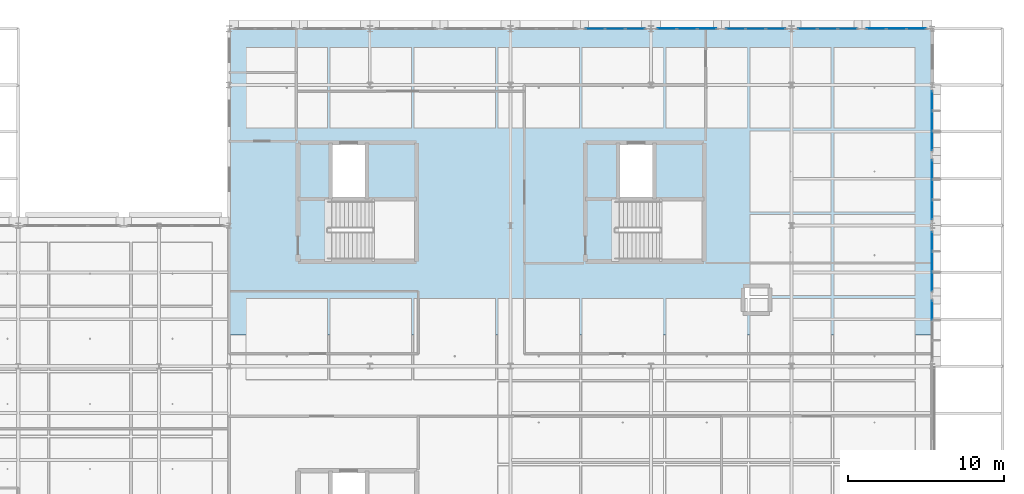
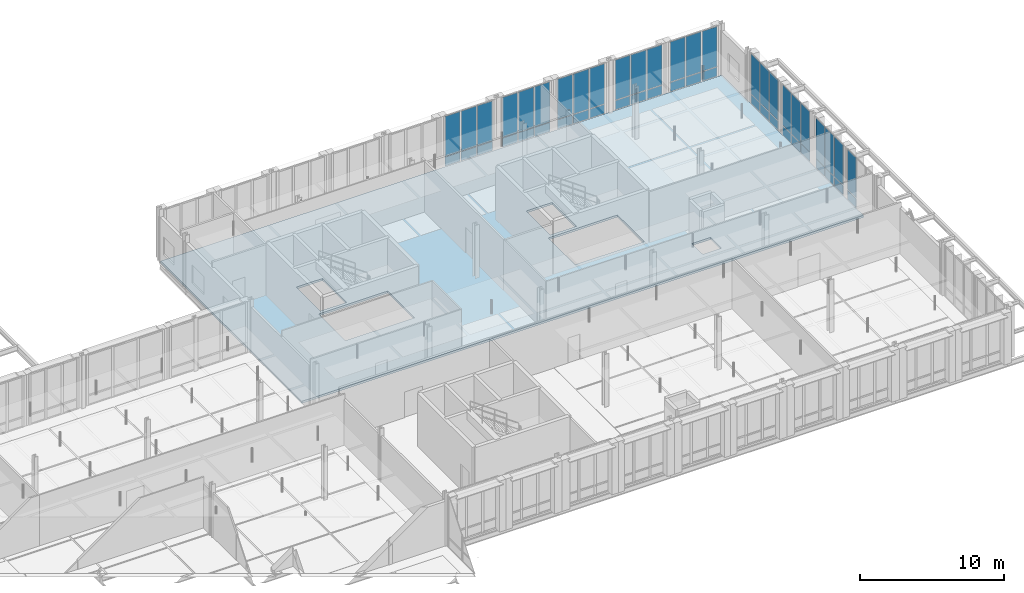
# One storey, part 78 of 140: 50 plates, 1 slab, 9 elements without a shape of their own.
"""IFC4 building model written with IfcOpenShell, lengths in metres."""

from ifc_helpers import new_model, si_unit, direction, frame, origin, origin_2d, place, context, subcontext, project, spatial, polyline, rectangle, outline, extrude, material, layer, layer_set, type_object, element, aggregate, save


model = new_model("IFC4")

# Units and contexts
model_context = context("Model", 3, precision=1e-05, world=origin(), true_north=direction((0.0, 1.0)))
body_context = subcontext(model_context, "Body", "Model", "MODEL_VIEW")
ifc_project = project(units=[si_unit("LENGTHUNIT", "METRE"), si_unit("AREAUNIT", "SQUARE_METRE"), si_unit("VOLUMEUNIT", "CUBIC_METRE"), si_unit("PLANEANGLEUNIT", "RADIAN"), si_unit("MASSUNIT", "GRAM", prefix="KILO"), si_unit("THERMODYNAMICTEMPERATUREUNIT", "KELVIN"), si_unit("POWERUNIT", "WATT")], contexts=[model_context])

# Site, building, storey
site_placement = place(None, origin())
site = spatial("IfcSite", under=ifc_project, at=site_placement, CompositionType="ELEMENT")
building_placement = place(site_placement, origin())
building = spatial("IfcBuilding", under=site, at=building_placement, Name="Tallowbark Science Centre", CompositionType="ELEMENT")
storey_placement = place(building_placement, frame((0.0, 0.0, 9.89990234375)))
storey = spatial("IfcBuildingStorey", under=building, at=storey_placement, Name="L02", CompositionType="ELEMENT", Elevation=9.89990234375)

# Curtain wall, plates
ifc_material_1 = material(Name="Unitised Thermally Broken Aluminium and Low-E Double Glazing", Category="aluminium")
curtain_wall_type = type_object("IfcCurtainWallType", Name="CW-SYS-FACADE", PredefinedType="NOTDEFINED", material=ifc_material_1)
curtain_wall_1_placement = place(storey_placement, origin())
curtain_wall_1 = element("IfcCurtainWall", 1, at=curtain_wall_1_placement, inside=storey, type_object=curtain_wall_type, Name="Unitised Curtain Wall OBS-N-130A CW-L02-148", PredefinedType="NOTDEFINED")
ifc_material_2 = material(Name="Double Glazed Argon Low-E Vision Glass", Category="glass")
ifc_layer_1 = layer(ifc_material_2, 0.028076171875)
ifc_layer_set_1 = layer_set([ifc_layer_1], Name="Double Glazed Argon Low-E Vision Glass")
plate_type_1 = type_object("IfcPlateType", Name="CWP-GLZ-28", PredefinedType="CURTAIN_PANEL", material=ifc_layer_set_1)
plate_1_placement = place(storey_placement, frame((138.483642578125, 111.60009765625, 0.05517578125), z_axis=(0.0, 0.0, 1.0), x_axis=(-1.0, 0.0, 0.0)))
plate_1 = element("IfcPlate", 2, at=plate_1_placement, type_object=plate_type_1, Name="CW-01 panel 1.1", PredefinedType="CURTAIN_PANEL", context=body_context, shape_type="SweptSolid", body=[
    extrude(rectangle(XDim=1.202392578125, YDim=0.028076171875, at=origin_2d()), origin(), (0.0, 0.0, 1.0), 0.767578125),
])
plate_2_placement = place(storey_placement, frame((138.483642578125, 111.60009765625, 0.87744140625), z_axis=(0.0, 0.0, 1.0), x_axis=(-1.0, 0.0, 0.0)))
plate_2 = element("IfcPlate", 3, at=plate_2_placement, type_object=plate_type_1, Name="CW-01 panel 1.2", PredefinedType="CURTAIN_PANEL", context=body_context, shape_type="SweptSolid", body=[
    extrude(rectangle(XDim=1.202392578125, YDim=0.028076171875, at=origin_2d()), origin(), (0.0, 0.0, 1.0), 3.387451171875),
])
plate_3_placement = place(storey_placement, frame((137.199951171875, 111.60009765625, 0.05517578125), z_axis=(0.0, 0.0, 1.0), x_axis=(-1.0, 0.0, 0.0)))
plate_3 = element("IfcPlate", 4, at=plate_3_placement, type_object=plate_type_1, Name="CW-01 panel 2.1", PredefinedType="CURTAIN_PANEL", context=body_context, shape_type="SweptSolid", body=[
    extrude(rectangle(XDim=1.235107421875, YDim=0.028076171875, at=origin_2d()), origin(), (0.0, 0.0, 1.0), 0.767578125),
])
plate_4_placement = place(storey_placement, frame((137.199951171875, 111.60009765625, 0.87744140625), z_axis=(0.0, 0.0, 1.0), x_axis=(-1.0, 0.0, 0.0)))
plate_4 = element("IfcPlate", 5, at=plate_4_placement, type_object=plate_type_1, Name="CW-01 panel 2.2", PredefinedType="CURTAIN_PANEL", context=body_context, shape_type="SweptSolid", body=[
    extrude(rectangle(XDim=1.235107421875, YDim=0.028076171875, at=origin_2d()), origin(), (0.0, 0.0, 1.0), 3.387451171875),
])
plate_5_placement = place(storey_placement, frame((135.916259765625, 111.60009765625, 0.05517578125), z_axis=(0.0, 0.0, 1.0), x_axis=(-1.0, 0.0, 0.0)))
plate_5 = element("IfcPlate", 6, at=plate_5_placement, type_object=plate_type_1, Name="CW-01 panel 3.1", PredefinedType="CURTAIN_PANEL", context=body_context, shape_type="SweptSolid", body=[
    extrude(rectangle(XDim=1.202392578125, YDim=0.028076171875, at=origin_2d()), origin(), (0.0, 0.0, 1.0), 0.767578125),
])
plate_6_placement = place(storey_placement, frame((135.916259765625, 111.60009765625, 0.87744140625), z_axis=(0.0, 0.0, 1.0), x_axis=(-1.0, 0.0, 0.0)))
plate_6 = element("IfcPlate", 7, at=plate_6_placement, type_object=plate_type_1, Name="CW-01 panel 3.2", PredefinedType="CURTAIN_PANEL", context=body_context, shape_type="SweptSolid", body=[
    extrude(rectangle(XDim=1.202392578125, YDim=0.028076171875, at=origin_2d()), origin(), (0.0, 0.0, 1.0), 3.387451171875),
])
aggregate(curtain_wall_1, [plate_1, plate_2, plate_3, plate_4, plate_5, plate_6])

curtain_wall_2_placement = place(storey_placement, origin())
curtain_wall_2 = element("IfcCurtainWall", 8, at=curtain_wall_2_placement, inside=storey, type_object=curtain_wall_type, Name="Unitised Curtain Wall OBS-N-139A CW-L02-152", PredefinedType="NOTDEFINED")
plate_7_placement = place(storey_placement, frame((147.483642578125, 111.60009765625, 0.05517578125), z_axis=(0.0, 0.0, 1.0), x_axis=(-1.0, 0.0, 0.0)))
plate_7 = element("IfcPlate", 9, at=plate_7_placement, type_object=plate_type_1, Name="CW-01 panel 1.1", PredefinedType="CURTAIN_PANEL", context=body_context, shape_type="SweptSolid", body=[
    extrude(rectangle(XDim=1.202392578125, YDim=0.028076171875, at=origin_2d()), origin(), (0.0, 0.0, 1.0), 0.767578125),
])
plate_8_placement = place(storey_placement, frame((147.483642578125, 111.60009765625, 0.87744140625), z_axis=(0.0, 0.0, 1.0), x_axis=(-1.0, 0.0, 0.0)))
plate_8 = element("IfcPlate", 10, at=plate_8_placement, type_object=plate_type_1, Name="CW-01 panel 1.2", PredefinedType="CURTAIN_PANEL", context=body_context, shape_type="SweptSolid", body=[
    extrude(rectangle(XDim=1.202392578125, YDim=0.028076171875, at=origin_2d()), origin(), (0.0, 0.0, 1.0), 3.387451171875),
])
plate_9_placement = place(storey_placement, frame((146.199951171875, 111.60009765625, 0.05517578125), z_axis=(0.0, 0.0, 1.0), x_axis=(-1.0, 0.0, 0.0)))
plate_9 = element("IfcPlate", 11, at=plate_9_placement, type_object=plate_type_1, Name="CW-01 panel 2.1", PredefinedType="CURTAIN_PANEL", context=body_context, shape_type="SweptSolid", body=[
    extrude(rectangle(XDim=1.235107421875, YDim=0.028076171875, at=origin_2d()), origin(), (0.0, 0.0, 1.0), 0.767578125),
])
plate_10_placement = place(storey_placement, frame((146.199951171875, 111.60009765625, 0.87744140625), z_axis=(0.0, 0.0, 1.0), x_axis=(-1.0, 0.0, 0.0)))
plate_10 = element("IfcPlate", 12, at=plate_10_placement, type_object=plate_type_1, Name="CW-01 panel 2.2", PredefinedType="CURTAIN_PANEL", context=body_context, shape_type="SweptSolid", body=[
    extrude(rectangle(XDim=1.235107421875, YDim=0.028076171875, at=origin_2d()), origin(), (0.0, 0.0, 1.0), 3.387451171875),
])
plate_11_placement = place(storey_placement, frame((144.916259765625, 111.60009765625, 0.05517578125), z_axis=(0.0, 0.0, 1.0), x_axis=(-1.0, 0.0, 0.0)))
plate_11 = element("IfcPlate", 13, at=plate_11_placement, type_object=plate_type_1, Name="CW-01 panel 3.1", PredefinedType="CURTAIN_PANEL", context=body_context, shape_type="SweptSolid", body=[
    extrude(rectangle(XDim=1.202392578125, YDim=0.028076171875, at=origin_2d()), origin(), (0.0, 0.0, 1.0), 0.767578125),
])
plate_12_placement = place(storey_placement, frame((144.916259765625, 111.60009765625, 0.87744140625), z_axis=(0.0, 0.0, 1.0), x_axis=(-1.0, 0.0, 0.0)))
plate_12 = element("IfcPlate", 14, at=plate_12_placement, type_object=plate_type_1, Name="CW-01 panel 3.2", PredefinedType="CURTAIN_PANEL", context=body_context, shape_type="SweptSolid", body=[
    extrude(rectangle(XDim=1.202392578125, YDim=0.028076171875, at=origin_2d()), origin(), (0.0, 0.0, 1.0), 3.387451171875),
])
aggregate(curtain_wall_2, [plate_7, plate_8, plate_9, plate_10, plate_11, plate_12])

curtain_wall_3_placement = place(storey_placement, origin())
curtain_wall_3 = element("IfcCurtainWall", 15, at=curtain_wall_3_placement, inside=storey, type_object=curtain_wall_type, Name="Unitised Curtain Wall OBS-N-148B CW-L02-157", PredefinedType="NOTDEFINED")
plate_13_placement = place(storey_placement, frame((152.083740234375, 111.60009765625, 0.05517578125), z_axis=(0.0, 0.0, 1.0), x_axis=(-1.0, 0.0, 0.0)))
plate_13 = element("IfcPlate", 16, at=plate_13_placement, type_object=plate_type_1, Name="CW-01 panel 1.1", PredefinedType="CURTAIN_PANEL", context=body_context, shape_type="SweptSolid", body=[
    extrude(rectangle(XDim=1.202392578125, YDim=0.028076171875, at=origin_2d()), origin(), (0.0, 0.0, 1.0), 0.767578125),
])
plate_14_placement = place(storey_placement, frame((152.083740234375, 111.60009765625, 0.87744140625), z_axis=(0.0, 0.0, 1.0), x_axis=(-1.0, 0.0, 0.0)))
plate_14 = element("IfcPlate", 17, at=plate_14_placement, type_object=plate_type_1, Name="CW-01 panel 1.2", PredefinedType="CURTAIN_PANEL", context=body_context, shape_type="SweptSolid", body=[
    extrude(rectangle(XDim=1.202392578125, YDim=0.028076171875, at=origin_2d()), origin(), (0.0, 0.0, 1.0), 3.387451171875),
])
plate_15_placement = place(storey_placement, frame((150.800048828125, 111.60009765625, 0.05517578125), z_axis=(0.0, 0.0, 1.0), x_axis=(-1.0, 0.0, 0.0)))
plate_15 = element("IfcPlate", 18, at=plate_15_placement, type_object=plate_type_1, Name="CW-01 panel 2.1", PredefinedType="CURTAIN_PANEL", context=body_context, shape_type="SweptSolid", body=[
    extrude(rectangle(XDim=1.235107421875, YDim=0.028076171875, at=origin_2d()), origin(), (0.0, 0.0, 1.0), 0.767578125),
])
plate_16_placement = place(storey_placement, frame((150.800048828125, 111.60009765625, 0.87744140625), z_axis=(0.0, 0.0, 1.0), x_axis=(-1.0, 0.0, 0.0)))
plate_16 = element("IfcPlate", 19, at=plate_16_placement, type_object=plate_type_1, Name="CW-01 panel 2.2", PredefinedType="CURTAIN_PANEL", context=body_context, shape_type="SweptSolid", body=[
    extrude(rectangle(XDim=1.235107421875, YDim=0.028076171875, at=origin_2d()), origin(), (0.0, 0.0, 1.0), 3.387451171875),
])
plate_17_placement = place(storey_placement, frame((149.516357421875, 111.60009765625, 0.05517578125), z_axis=(0.0, 0.0, 1.0), x_axis=(-1.0, 0.0, 0.0)))
plate_17 = element("IfcPlate", 20, at=plate_17_placement, type_object=plate_type_1, Name="CW-01 panel 3.1", PredefinedType="CURTAIN_PANEL", context=body_context, shape_type="SweptSolid", body=[
    extrude(rectangle(XDim=1.202392578125, YDim=0.028076171875, at=origin_2d()), origin(), (0.0, 0.0, 1.0), 0.767578125),
])
plate_18_placement = place(storey_placement, frame((149.516357421875, 111.60009765625, 0.87744140625), z_axis=(0.0, 0.0, 1.0), x_axis=(-1.0, 0.0, 0.0)))
plate_18 = element("IfcPlate", 21, at=plate_18_placement, type_object=plate_type_1, Name="CW-01 panel 3.2", PredefinedType="CURTAIN_PANEL", context=body_context, shape_type="SweptSolid", body=[
    extrude(rectangle(XDim=1.202392578125, YDim=0.028076171875, at=origin_2d()), origin(), (0.0, 0.0, 1.0), 3.387451171875),
])
aggregate(curtain_wall_3, [plate_13, plate_14, plate_15, plate_16, plate_17, plate_18])

curtain_wall_4_placement = place(storey_placement, origin())
curtain_wall_4 = element("IfcCurtainWall", 22, at=curtain_wall_4_placement, inside=storey, type_object=curtain_wall_type, Name="Unitised Curtain Wall OBS-E-90A CW-L02-160", PredefinedType="NOTDEFINED")
plate_19_placement = place(storey_placement, frame((157.5, 93.583740234375, 0.05517578125), z_axis=(0.0, 0.0, 1.0), x_axis=(0.0, 1.0, 0.0)))
plate_19 = element("IfcPlate", 23, at=plate_19_placement, type_object=plate_type_1, Name="CW-01 panel 3.1", PredefinedType="CURTAIN_PANEL", context=body_context, shape_type="SweptSolid", body=[
    extrude(rectangle(XDim=1.202392578125, YDim=0.028076171875, at=origin_2d()), origin(), (0.0, 0.0, 1.0), 0.767578125),
])
plate_20_placement = place(storey_placement, frame((157.5, 93.583740234375, 0.87744140625), z_axis=(0.0, 0.0, 1.0), x_axis=(0.0, 1.0, 0.0)))
plate_20 = element("IfcPlate", 24, at=plate_20_placement, type_object=plate_type_1, Name="CW-01 panel 3.2", PredefinedType="CURTAIN_PANEL", context=body_context, shape_type="SweptSolid", body=[
    extrude(rectangle(XDim=1.202392578125, YDim=0.028076171875, at=origin_2d()), origin(), (0.0, 0.0, 1.0), 3.387451171875),
])
aggregate(curtain_wall_4, [plate_19, plate_20])

curtain_wall_5_placement = place(storey_placement, origin())
curtain_wall_5 = element("IfcCurtainWall", 25, at=curtain_wall_5_placement, inside=storey, type_object=curtain_wall_type, Name="Unitised Curtain Wall OBS-E-90B CW-L02-161", PredefinedType="NOTDEFINED")
plate_21_placement = place(storey_placement, frame((157.5, 95.416259765625, 0.05517578125), z_axis=(0.0, 0.0, 1.0), x_axis=(0.0, 1.0, 0.0)))
plate_21 = element("IfcPlate", 26, at=plate_21_placement, type_object=plate_type_1, Name="CW-01 panel 1.1", PredefinedType="CURTAIN_PANEL", context=body_context, shape_type="SweptSolid", body=[
    extrude(rectangle(XDim=1.202392578125, YDim=0.028076171875, at=origin_2d()), origin(), (0.0, 0.0, 1.0), 0.767578125),
])
plate_22_placement = place(storey_placement, frame((157.5, 95.416259765625, 0.87744140625), z_axis=(0.0, 0.0, 1.0), x_axis=(0.0, 1.0, 0.0)))
plate_22 = element("IfcPlate", 27, at=plate_22_placement, type_object=plate_type_1, Name="CW-01 panel 1.2", PredefinedType="CURTAIN_PANEL", context=body_context, shape_type="SweptSolid", body=[
    extrude(rectangle(XDim=1.202392578125, YDim=0.028076171875, at=origin_2d()), origin(), (0.0, 0.0, 1.0), 3.387451171875),
])
plate_23_placement = place(storey_placement, frame((157.5, 96.699951171875, 0.05517578125), z_axis=(0.0, 0.0, 1.0), x_axis=(0.0, 1.0, 0.0)))
plate_23 = element("IfcPlate", 28, at=plate_23_placement, type_object=plate_type_1, Name="CW-01 panel 2.1", PredefinedType="CURTAIN_PANEL", context=body_context, shape_type="SweptSolid", body=[
    extrude(rectangle(XDim=1.235107421875, YDim=0.028076171875, at=origin_2d()), origin(), (0.0, 0.0, 1.0), 0.767578125),
])
plate_24_placement = place(storey_placement, frame((157.5, 96.699951171875, 0.87744140625), z_axis=(0.0, 0.0, 1.0), x_axis=(0.0, 1.0, 0.0)))
plate_24 = element("IfcPlate", 29, at=plate_24_placement, type_object=plate_type_1, Name="CW-01 panel 2.2", PredefinedType="CURTAIN_PANEL", context=body_context, shape_type="SweptSolid", body=[
    extrude(rectangle(XDim=1.235107421875, YDim=0.028076171875, at=origin_2d()), origin(), (0.0, 0.0, 1.0), 3.387451171875),
])
plate_25_placement = place(storey_placement, frame((157.5, 97.983642578125, 0.05517578125), z_axis=(0.0, 0.0, 1.0), x_axis=(0.0, 1.0, 0.0)))
plate_25 = element("IfcPlate", 30, at=plate_25_placement, type_object=plate_type_1, Name="CW-01 panel 3.1", PredefinedType="CURTAIN_PANEL", context=body_context, shape_type="SweptSolid", body=[
    extrude(rectangle(XDim=1.202392578125, YDim=0.028076171875, at=origin_2d()), origin(), (0.0, 0.0, 1.0), 0.767578125),
])
plate_26_placement = place(storey_placement, frame((157.5, 97.983642578125, 0.87744140625), z_axis=(0.0, 0.0, 1.0), x_axis=(0.0, 1.0, 0.0)))
plate_26 = element("IfcPlate", 31, at=plate_26_placement, type_object=plate_type_1, Name="CW-01 panel 3.2", PredefinedType="CURTAIN_PANEL", context=body_context, shape_type="SweptSolid", body=[
    extrude(rectangle(XDim=1.202392578125, YDim=0.028076171875, at=origin_2d()), origin(), (0.0, 0.0, 1.0), 3.387451171875),
])
aggregate(curtain_wall_5, [plate_21, plate_22, plate_23, plate_24, plate_25, plate_26])

curtain_wall_6_placement = place(storey_placement, origin())
curtain_wall_6 = element("IfcCurtainWall", 32, at=curtain_wall_6_placement, inside=storey, type_object=curtain_wall_type, Name="Unitised Curtain Wall OBS-E-99B CW-L02-163", PredefinedType="NOTDEFINED")
plate_27_placement = place(storey_placement, frame((157.5, 104.416259765625, 0.05517578125), z_axis=(0.0, 0.0, 1.0), x_axis=(0.0, 1.0, 0.0)))
plate_27 = element("IfcPlate", 33, at=plate_27_placement, type_object=plate_type_1, Name="CW-01 panel 1.1", PredefinedType="CURTAIN_PANEL", context=body_context, shape_type="SweptSolid", body=[
    extrude(rectangle(XDim=1.202392578125, YDim=0.028076171875, at=origin_2d()), origin(), (0.0, 0.0, 1.0), 0.767578125),
])
plate_28_placement = place(storey_placement, frame((157.5, 104.416259765625, 0.87744140625), z_axis=(0.0, 0.0, 1.0), x_axis=(0.0, 1.0, 0.0)))
plate_28 = element("IfcPlate", 34, at=plate_28_placement, type_object=plate_type_1, Name="CW-01 panel 1.2", PredefinedType="CURTAIN_PANEL", context=body_context, shape_type="SweptSolid", body=[
    extrude(rectangle(XDim=1.202392578125, YDim=0.028076171875, at=origin_2d()), origin(), (0.0, 0.0, 1.0), 3.387451171875),
])
plate_29_placement = place(storey_placement, frame((157.5, 105.699951171875, 0.05517578125), z_axis=(0.0, 0.0, 1.0), x_axis=(0.0, 1.0, 0.0)))
plate_29 = element("IfcPlate", 35, at=plate_29_placement, type_object=plate_type_1, Name="CW-01 panel 2.1", PredefinedType="CURTAIN_PANEL", context=body_context, shape_type="SweptSolid", body=[
    extrude(rectangle(XDim=1.235107421875, YDim=0.028076171875, at=origin_2d()), origin(), (0.0, 0.0, 1.0), 0.767578125),
])
plate_30_placement = place(storey_placement, frame((157.5, 105.699951171875, 0.87744140625), z_axis=(0.0, 0.0, 1.0), x_axis=(0.0, 1.0, 0.0)))
plate_30 = element("IfcPlate", 36, at=plate_30_placement, type_object=plate_type_1, Name="CW-01 panel 2.2", PredefinedType="CURTAIN_PANEL", context=body_context, shape_type="SweptSolid", body=[
    extrude(rectangle(XDim=1.235107421875, YDim=0.028076171875, at=origin_2d()), origin(), (0.0, 0.0, 1.0), 3.387451171875),
])
plate_31_placement = place(storey_placement, frame((157.5, 106.983642578125, 0.05517578125), z_axis=(0.0, 0.0, 1.0), x_axis=(0.0, 1.0, 0.0)))
plate_31 = element("IfcPlate", 37, at=plate_31_placement, type_object=plate_type_1, Name="CW-01 panel 3.1", PredefinedType="CURTAIN_PANEL", context=body_context, shape_type="SweptSolid", body=[
    extrude(rectangle(XDim=1.202392578125, YDim=0.028076171875, at=origin_2d()), origin(), (0.0, 0.0, 1.0), 0.767578125),
])
plate_32_placement = place(storey_placement, frame((157.5, 106.983642578125, 0.87744140625), z_axis=(0.0, 0.0, 1.0), x_axis=(0.0, 1.0, 0.0)))
plate_32 = element("IfcPlate", 38, at=plate_32_placement, type_object=plate_type_1, Name="CW-01 panel 3.2", PredefinedType="CURTAIN_PANEL", context=body_context, shape_type="SweptSolid", body=[
    extrude(rectangle(XDim=1.202392578125, YDim=0.028076171875, at=origin_2d()), origin(), (0.0, 0.0, 1.0), 3.387451171875),
])
aggregate(curtain_wall_6, [plate_27, plate_28, plate_29, plate_30, plate_31, plate_32])

curtain_wall_7_placement = place(storey_placement, origin())
curtain_wall_7 = element("IfcCurtainWall", 39, at=curtain_wall_7_placement, inside=storey, type_object=curtain_wall_type, Name="Unitised Curtain Wall OBS-N-139B CW-L02-153", PredefinedType="NOTDEFINED")
ifc_material_3 = material(Name="Ceramic-Fritted Insulated Glass Spandrel Panel", Category="glass")
ifc_layer_2 = layer(ifc_material_3, 0.031982421875)
ifc_layer_set_2 = layer_set([ifc_layer_2], Name="Ceramic-Fritted Insulated Glass Spandrel Panel")
plate_type_2 = type_object("IfcPlateType", Name="CWP-SPN-32", PredefinedType="CURTAIN_PANEL", material=ifc_layer_set_2)
plate_33_placement = place(storey_placement, frame((143.083740234375, 111.60009765625, 0.05517578125), z_axis=(0.0, 0.0, 1.0), x_axis=(-1.0, 0.0, 0.0)))
plate_33 = element("IfcPlate", 40, at=plate_33_placement, type_object=plate_type_2, Name="CW-01 panel 1.1", PredefinedType="CURTAIN_PANEL", context=body_context, shape_type="SweptSolid", body=[
    extrude(rectangle(XDim=1.202392578125, YDim=0.031982421875, at=origin_2d()), origin(), (0.0, 0.0, 1.0), 0.767578125),
])
plate_34_placement = place(storey_placement, frame((143.083740234375, 111.60009765625, 0.87744140625), z_axis=(0.0, 0.0, 1.0), x_axis=(-1.0, 0.0, 0.0)))
plate_34 = element("IfcPlate", 41, at=plate_34_placement, type_object=plate_type_2, Name="CW-01 panel 1.2", PredefinedType="CURTAIN_PANEL", context=body_context, shape_type="SweptSolid", body=[
    extrude(rectangle(XDim=1.202392578125, YDim=0.031982421875, at=origin_2d()), origin(), (0.0, 0.0, 1.0), 3.387451171875),
])
plate_35_placement = place(storey_placement, frame((141.800048828125, 111.60009765625, 0.05517578125), z_axis=(0.0, 0.0, 1.0), x_axis=(-1.0, 0.0, 0.0)))
plate_35 = element("IfcPlate", 42, at=plate_35_placement, type_object=plate_type_2, Name="CW-01 panel 2.1", PredefinedType="CURTAIN_PANEL", context=body_context, shape_type="SweptSolid", body=[
    extrude(rectangle(XDim=1.235107421875, YDim=0.031982421875, at=origin_2d()), origin(), (0.0, 0.0, 1.0), 0.767578125),
])
plate_36_placement = place(storey_placement, frame((141.800048828125, 111.60009765625, 0.87744140625), z_axis=(0.0, 0.0, 1.0), x_axis=(-1.0, 0.0, 0.0)))
plate_36 = element("IfcPlate", 43, at=plate_36_placement, type_object=plate_type_2, Name="CW-01 panel 2.2", PredefinedType="CURTAIN_PANEL", context=body_context, shape_type="SweptSolid", body=[
    extrude(rectangle(XDim=1.235107421875, YDim=0.031982421875, at=origin_2d()), origin(), (0.0, 0.0, 1.0), 3.387451171875),
])
plate_37_placement = place(storey_placement, frame((140.516357421875, 111.60009765625, 0.05517578125), z_axis=(0.0, 0.0, 1.0), x_axis=(-1.0, 0.0, 0.0)))
plate_37 = element("IfcPlate", 44, at=plate_37_placement, type_object=plate_type_2, Name="CW-01 panel 3.1", PredefinedType="CURTAIN_PANEL", context=body_context, shape_type="SweptSolid", body=[
    extrude(rectangle(XDim=1.202392578125, YDim=0.031982421875, at=origin_2d()), origin(), (0.0, 0.0, 1.0), 0.767578125),
])
plate_38_placement = place(storey_placement, frame((140.516357421875, 111.60009765625, 0.87744140625), z_axis=(0.0, 0.0, 1.0), x_axis=(-1.0, 0.0, 0.0)))
plate_38 = element("IfcPlate", 45, at=plate_38_placement, type_object=plate_type_2, Name="CW-01 panel 3.2", PredefinedType="CURTAIN_PANEL", context=body_context, shape_type="SweptSolid", body=[
    extrude(rectangle(XDim=1.202392578125, YDim=0.031982421875, at=origin_2d()), origin(), (0.0, 0.0, 1.0), 3.387451171875),
])
aggregate(curtain_wall_7, [plate_33, plate_34, plate_35, plate_36, plate_37, plate_38])

curtain_wall_8_placement = place(storey_placement, origin())
curtain_wall_8 = element("IfcCurtainWall", 46, at=curtain_wall_8_placement, inside=storey, type_object=curtain_wall_type, Name="Unitised Curtain Wall OBS-N-148A CW-L02-156", PredefinedType="NOTDEFINED")
plate_39_placement = place(storey_placement, frame((156.483642578125, 111.60009765625, 0.05517578125), z_axis=(0.0, 0.0, 1.0), x_axis=(-1.0, 0.0, 0.0)))
plate_39 = element("IfcPlate", 47, at=plate_39_placement, type_object=plate_type_2, Name="CW-01 panel 1.1", PredefinedType="CURTAIN_PANEL", context=body_context, shape_type="SweptSolid", body=[
    extrude(rectangle(XDim=1.202392578125, YDim=0.031982421875, at=origin_2d()), origin(), (0.0, 0.0, 1.0), 0.767578125),
])
plate_40_placement = place(storey_placement, frame((156.483642578125, 111.60009765625, 0.87744140625), z_axis=(0.0, 0.0, 1.0), x_axis=(-1.0, 0.0, 0.0)))
plate_40 = element("IfcPlate", 48, at=plate_40_placement, type_object=plate_type_2, Name="CW-01 panel 1.2", PredefinedType="CURTAIN_PANEL", context=body_context, shape_type="SweptSolid", body=[
    extrude(rectangle(XDim=1.202392578125, YDim=0.031982421875, at=origin_2d()), origin(), (0.0, 0.0, 1.0), 3.387451171875),
])
plate_41_placement = place(storey_placement, frame((155.199951171875, 111.60009765625, 0.05517578125), z_axis=(0.0, 0.0, 1.0), x_axis=(-1.0, 0.0, 0.0)))
plate_41 = element("IfcPlate", 49, at=plate_41_placement, type_object=plate_type_2, Name="CW-01 panel 2.1", PredefinedType="CURTAIN_PANEL", context=body_context, shape_type="SweptSolid", body=[
    extrude(rectangle(XDim=1.235107421875, YDim=0.031982421875, at=origin_2d()), origin(), (0.0, 0.0, 1.0), 0.767578125),
])
plate_42_placement = place(storey_placement, frame((155.199951171875, 111.60009765625, 0.87744140625), z_axis=(0.0, 0.0, 1.0), x_axis=(-1.0, 0.0, 0.0)))
plate_42 = element("IfcPlate", 50, at=plate_42_placement, type_object=plate_type_2, Name="CW-01 panel 2.2", PredefinedType="CURTAIN_PANEL", context=body_context, shape_type="SweptSolid", body=[
    extrude(rectangle(XDim=1.235107421875, YDim=0.031982421875, at=origin_2d()), origin(), (0.0, 0.0, 1.0), 3.387451171875),
])
plate_43_placement = place(storey_placement, frame((153.916259765625, 111.60009765625, 0.05517578125), z_axis=(0.0, 0.0, 1.0), x_axis=(-1.0, 0.0, 0.0)))
plate_43 = element("IfcPlate", 51, at=plate_43_placement, type_object=plate_type_2, Name="CW-01 panel 3.1", PredefinedType="CURTAIN_PANEL", context=body_context, shape_type="SweptSolid", body=[
    extrude(rectangle(XDim=1.202392578125, YDim=0.031982421875, at=origin_2d()), origin(), (0.0, 0.0, 1.0), 0.767578125),
])
plate_44_placement = place(storey_placement, frame((153.916259765625, 111.60009765625, 0.87744140625), z_axis=(0.0, 0.0, 1.0), x_axis=(-1.0, 0.0, 0.0)))
plate_44 = element("IfcPlate", 52, at=plate_44_placement, type_object=plate_type_2, Name="CW-01 panel 3.2", PredefinedType="CURTAIN_PANEL", context=body_context, shape_type="SweptSolid", body=[
    extrude(rectangle(XDim=1.202392578125, YDim=0.031982421875, at=origin_2d()), origin(), (0.0, 0.0, 1.0), 3.387451171875),
])
aggregate(curtain_wall_8, [plate_39, plate_40, plate_41, plate_42, plate_43, plate_44])

curtain_wall_9_placement = place(storey_placement, origin())
curtain_wall_9 = element("IfcCurtainWall", 53, at=curtain_wall_9_placement, inside=storey, type_object=curtain_wall_type, Name="Unitised Curtain Wall OBS-E-99A CW-L02-162", PredefinedType="NOTDEFINED")
plate_45_placement = place(storey_placement, frame((157.5, 100.016357421875, 0.05517578125), z_axis=(0.0, 0.0, 1.0), x_axis=(0.0, 1.0, 0.0)))
plate_45 = element("IfcPlate", 54, at=plate_45_placement, type_object=plate_type_2, Name="CW-01 panel 1.1", PredefinedType="CURTAIN_PANEL", context=body_context, shape_type="SweptSolid", body=[
    extrude(rectangle(XDim=1.202392578125, YDim=0.031982421875, at=origin_2d()), origin(), (0.0, 0.0, 1.0), 0.767578125),
])
plate_46_placement = place(storey_placement, frame((157.5, 100.016357421875, 0.87744140625), z_axis=(0.0, 0.0, 1.0), x_axis=(0.0, 1.0, 0.0)))
plate_46 = element("IfcPlate", 55, at=plate_46_placement, type_object=plate_type_2, Name="CW-01 panel 1.2", PredefinedType="CURTAIN_PANEL", context=body_context, shape_type="SweptSolid", body=[
    extrude(rectangle(XDim=1.202392578125, YDim=0.031982421875, at=origin_2d()), origin(), (0.0, 0.0, 1.0), 3.387451171875),
])
plate_47_placement = place(storey_placement, frame((157.5, 101.300048828125, 0.05517578125), z_axis=(0.0, 0.0, 1.0), x_axis=(0.0, 1.0, 0.0)))
plate_47 = element("IfcPlate", 56, at=plate_47_placement, type_object=plate_type_2, Name="CW-01 panel 2.1", PredefinedType="CURTAIN_PANEL", context=body_context, shape_type="SweptSolid", body=[
    extrude(rectangle(XDim=1.235107421875, YDim=0.031982421875, at=origin_2d()), origin(), (0.0, 0.0, 1.0), 0.767578125),
])
plate_48_placement = place(storey_placement, frame((157.5, 101.300048828125, 0.87744140625), z_axis=(0.0, 0.0, 1.0), x_axis=(0.0, 1.0, 0.0)))
plate_48 = element("IfcPlate", 57, at=plate_48_placement, type_object=plate_type_2, Name="CW-01 panel 2.2", PredefinedType="CURTAIN_PANEL", context=body_context, shape_type="SweptSolid", body=[
    extrude(rectangle(XDim=1.235107421875, YDim=0.031982421875, at=origin_2d()), origin(), (0.0, 0.0, 1.0), 3.387451171875),
])
plate_49_placement = place(storey_placement, frame((157.5, 102.583740234375, 0.05517578125), z_axis=(0.0, 0.0, 1.0), x_axis=(0.0, 1.0, 0.0)))
plate_49 = element("IfcPlate", 58, at=plate_49_placement, type_object=plate_type_2, Name="CW-01 panel 3.1", PredefinedType="CURTAIN_PANEL", context=body_context, shape_type="SweptSolid", body=[
    extrude(rectangle(XDim=1.202392578125, YDim=0.031982421875, at=origin_2d()), origin(), (0.0, 0.0, 1.0), 0.767578125),
])
plate_50_placement = place(storey_placement, frame((157.5, 102.583740234375, 0.87744140625), z_axis=(0.0, 0.0, 1.0), x_axis=(0.0, 1.0, 0.0)))
plate_50 = element("IfcPlate", 59, at=plate_50_placement, type_object=plate_type_2, Name="CW-01 panel 3.2", PredefinedType="CURTAIN_PANEL", context=body_context, shape_type="SweptSolid", body=[
    extrude(rectangle(XDim=1.202392578125, YDim=0.031982421875, at=origin_2d()), origin(), (0.0, 0.0, 1.0), 3.387451171875),
])
aggregate(curtain_wall_9, [plate_45, plate_46, plate_47, plate_48, plate_49, plate_50])

# Slab
ifc_material_4 = material(Name="Concrete Grade N40 (40 MPa)", Category="concrete")
ifc_layer_3 = layer(ifc_material_4, 0.179931640625)
ifc_layer_set_3 = layer_set([ifc_layer_3], Name="Concrete Grade N40 (40 MPa)")
slab_type = type_object("IfcSlabType", Name="SLB-FLR-180", PredefinedType="FLOOR", material=ifc_layer_set_3)
slab_placement = place(storey_placement, frame((0.0, 0.0, -0.179931640625)))
element("IfcSlab", 60, at=slab_placement, inside=storey, type_object=slab_type, Name="Astronomy Wing North Slab L02 SLB-OBS-N-L02", PredefinedType="FLOOR", context=body_context, shape_type="SweptSolid", body=[
    extrude(outline(polyline([(112.52490234375, 92.0), (157.5, 92.0), (157.5, 111.60009765625), (112.52490234375, 111.60009765625), (112.52490234375, 92.0)]), holes=[polyline([(137.2099609375, 96.85009765625), (142.75, 96.85009765625), (142.75, 100.570068359375), (137.2099609375, 100.570068359375), (137.2099609375, 96.85009765625)]), polyline([(118.81005859375, 96.85009765625), (124.35009765625, 96.85009765625), (124.35009765625, 100.570068359375), (118.81005859375, 100.570068359375), (118.81005859375, 96.85009765625)]), polyline([(137.5, 100.820068359375), (139.60009765625, 100.820068359375), (139.60009765625, 104.14990234375), (137.5, 104.14990234375), (137.5, 100.820068359375)]), polyline([(119.10009765625, 100.820068359375), (121.199951171875, 100.820068359375), (121.199951171875, 104.14990234375), (119.10009765625, 104.14990234375), (119.10009765625, 100.820068359375)]), polyline([(145.5, 93.5), (147.0, 93.5), (147.0, 95.0), (145.5, 95.0), (145.5, 93.5)])]), origin(), (0.0, 0.0, 1.0), 0.179931640625),
])

save(model, "model.ifc")
